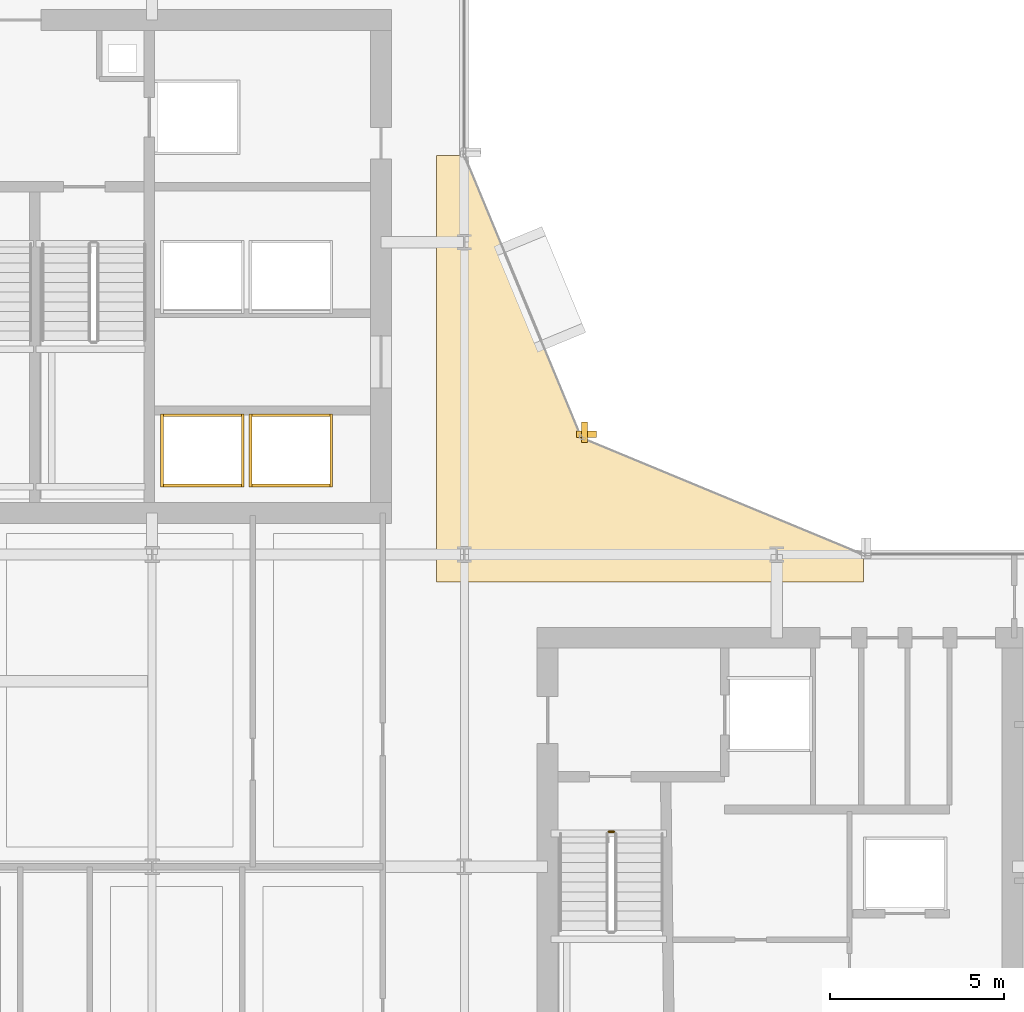
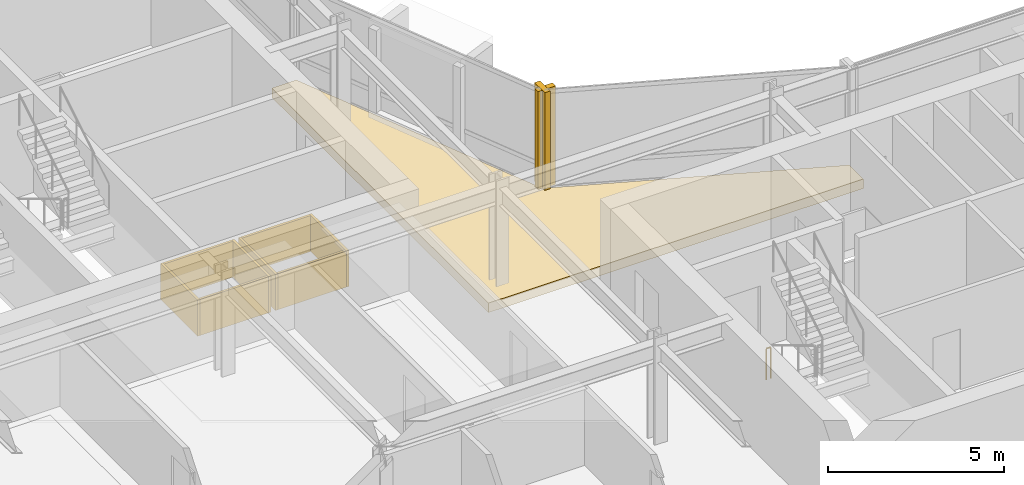
# One storey, part 27 of 29: 11 coverings, 1 railing.
"""IFC4 building model written with IfcOpenShell, lengths in metres."""

from ifc_helpers import new_model, si_unit, direction, frame, origin, origin_2d, place, context, subcontext, project, spatial, polyline, rectangle, circle, outline, extrude, material, layer, layer_set, type_object, element, save


model = new_model("IFC4")

# Units and contexts
model_context = context("Model", 3, precision=1e-05, world=origin(), true_north=direction((0.0, 1.0)))
body_context = subcontext(model_context, "Body", "Model", "MODEL_VIEW")
ifc_project = project(units=[si_unit("LENGTHUNIT", "METRE"), si_unit("AREAUNIT", "SQUARE_METRE"), si_unit("VOLUMEUNIT", "CUBIC_METRE"), si_unit("PLANEANGLEUNIT", "RADIAN"), si_unit("MASSUNIT", "GRAM", prefix="KILO")], contexts=[model_context])

# Site, building, storey
site_placement = place(None, origin())
site = spatial("IfcSite", under=ifc_project, at=site_placement, CompositionType="ELEMENT")
building_placement = place(site_placement, origin())
building = spatial("IfcBuilding", under=site, at=building_placement, Name="Solvaryn Broadcast Tower", CompositionType="ELEMENT")
storey_placement = place(building_placement, frame((0.0, 0.0, 121.10009765625)))
storey = spatial("IfcBuildingStorey", under=building, at=storey_placement, Name="L29", CompositionType="ELEMENT", Elevation=121.10009765625)

# Coverings
ifc_material_1 = material(Name="Fire-Rated Gypsum Shaftwall Liner", Category="concrete")
ifc_layer_1 = layer(ifc_material_1, 0.080078125)
ifc_layer_set_1 = layer_set([ifc_layer_1], Name="CV-SHAFT-LINER")
covering_type_1 = type_object("IfcCoveringType", Name="CV-SHAFT-LINER", PredefinedType="CLADDING", material=ifc_layer_set_1)
for number, where, z_axis, x_axis, name in (
    (1, (19.449951171875, 31.014892578125, 0.0), (0.0, 0.0, 1.0), (1.0, 0.0, 0.0), "L29 PH1 Hoistway Shaft Liner North"),
    (2, (19.449951171875, 28.985107421875, 0.0), (0.0, 0.0, 1.0), (1.0, 0.0, 0.0), "L29 PH1 Hoistway Shaft Liner South"),
):
    element("IfcCovering", number, at=place(storey_placement, frame(where, z_axis=z_axis, x_axis=x_axis)), inside=storey, type_object=covering_type_1, Name=name, PredefinedType="CLADDING", context=body_context, shape_type="SweptSolid", body=[
        extrude(rectangle(XDim=2.409912109375, YDim=0.080078125, at=origin_2d()), origin(), (0.0, 0.0, 1.0), 1.25),
    ])
for number, where, z_axis, x_axis, name in (
    (3, (20.614990234375, 30.0, 0.0), (0.0, 0.0, 1.0), (1.0, 0.0, 0.0), "L29 PH1 Hoistway Shaft Liner East"),
    (4, (18.284912109375, 30.0, 0.0), (0.0, 0.0, 1.0), (1.0, 0.0, 0.0), "L29 PH1 Hoistway Shaft Liner West"),
):
    element("IfcCovering", number, at=place(storey_placement, frame(where, z_axis=z_axis, x_axis=x_axis)), inside=storey, type_object=covering_type_1, Name=name, PredefinedType="CLADDING", context=body_context, shape_type="SweptSolid", body=[
        extrude(rectangle(XDim=0.080078125, YDim=2.110107421875, at=origin_2d()), origin(), (0.0, 0.0, 1.0), 1.25),
    ])
for number, where, z_axis, x_axis, name in (
    (5, (22.0, 31.014892578125, 0.0), (0.0, 0.0, 1.0), (1.0, 0.0, 0.0), "L29 PH2 Hoistway Shaft Liner North"),
    (6, (22.0, 28.985107421875, 0.0), (0.0, 0.0, 1.0), (1.0, 0.0, 0.0), "L29 PH2 Hoistway Shaft Liner South"),
):
    element("IfcCovering", number, at=place(storey_placement, frame(where, z_axis=z_axis, x_axis=x_axis)), inside=storey, type_object=covering_type_1, Name=name, PredefinedType="CLADDING", context=body_context, shape_type="SweptSolid", body=[
        extrude(rectangle(XDim=2.409912109375, YDim=0.080078125, at=origin_2d()), origin(), (0.0, 0.0, 1.0), 1.25),
    ])
for number, where, z_axis, x_axis, name in (
    (7, (23.1650390625, 30.0, 0.0), (0.0, 0.0, 1.0), (1.0, 0.0, 0.0), "L29 PH2 Hoistway Shaft Liner East"),
    (8, (20.8349609375, 30.0, 0.0), (0.0, 0.0, 1.0), (1.0, 0.0, 0.0), "L29 PH2 Hoistway Shaft Liner West"),
):
    element("IfcCovering", number, at=place(storey_placement, frame(where, z_axis=z_axis, x_axis=x_axis)), inside=storey, type_object=covering_type_1, Name=name, PredefinedType="CLADDING", context=body_context, shape_type="SweptSolid", body=[
        extrude(rectangle(XDim=0.080078125, YDim=2.110107421875, at=origin_2d()), origin(), (0.0, 0.0, 1.0), 1.25),
    ])
ifc_material_2 = material(Name="Extruded Architectural Terracotta Fin", Category="masonry")
ifc_layer_2 = layer(ifc_material_2, 0.179931640625)
ifc_layer_set_2 = layer_set([ifc_layer_2], Name="CV-TC-FIN")
covering_type_2 = type_object("IfcCoveringType", Name="CV-TC-FIN", PredefinedType="USERDEFINED", material=ifc_layer_set_2)
covering_1_placement = place(storey_placement, frame((30.464599609375, 30.52294921875, 0.0), z_axis=(0.0, 0.0, 1.0), x_axis=(1.0, 0.0, 0.0)))
element("IfcCovering", 9, at=covering_1_placement, inside=storey, type_object=covering_type_2, Name="L29 Terracotta Vertical Fin FIN-L29-CN1-M01", ObjectType="FIN", PredefinedType="USERDEFINED", context=body_context, shape_type="SweptSolid", body=[
    extrude(rectangle(XDim=0.179931640625, YDim=0.580078125, at=origin_2d()), origin(), (0.0, 0.0, 1.0), 3.419921875),
])
covering_2_placement = place(storey_placement, frame((30.52294921875, 30.464599609375, 0.0), z_axis=(0.0, 0.0, 1.0), x_axis=(1.0, 0.0, 0.0)))
element("IfcCovering", 10, at=covering_2_placement, inside=storey, type_object=covering_type_2, Name="L29 Terracotta Vertical Fin FIN-L29-CN2-M00", ObjectType="FIN", PredefinedType="USERDEFINED", context=body_context, shape_type="SweptSolid", body=[
    extrude(rectangle(XDim=0.580078125, YDim=0.179931640625, at=origin_2d()), origin(), (0.0, 0.0, 1.0), 3.419921875),
])
ifc_material_3 = material(Name="Sculpted Architectural Terracotta Wave Fascia", Category="masonry")
ifc_layer_3 = layer(ifc_material_3, 0.340087890625)
ifc_layer_set_3 = layer_set([ifc_layer_3], Name="CV-WAVE-TRAY")
covering_type_3 = type_object("IfcCoveringType", Name="CV-WAVE-TRAY", PredefinedType="CLADDING", material=ifc_layer_set_3)
covering_3_placement = place(storey_placement, frame((0.0, 0.0, -0.300048828125)))
element("IfcCovering", 11, at=covering_3_placement, inside=storey, type_object=covering_type_3, Name="L29 Concave Canyon Floor Apron", PredefinedType="CLADDING", context=body_context, shape_type="SweptSolid", body=[
    extrude(outline(polyline([(26.199951171875, 26.199951171875), (38.5, 26.199951171875), (38.5, 27.0), (30.367919921875, 30.367919921875), (27.0, 38.5), (26.199951171875, 38.5), (26.199951171875, 26.199951171875)])), origin(), (0.0, 0.0, 1.0), 0.329833984375),
])

# Railing
ifc_material_4 = material(Name="Painted Steel Stair Well Guard", Category="steel")
railing_type = type_object("IfcRailingType", Name="RL-STAIR-GUARD", PredefinedType="BALUSTRADE", material=ifc_material_4)
railing_placement = place(storey_placement, frame((31.159912109375, 19.010009765625, 0.0)))
element("IfcRailing", 12, at=railing_placement, inside=storey, type_object=railing_type, Name="L29 ST3 stair guard 4", PredefinedType="BALUSTRADE", context=body_context, shape_type="SweptSolid", body=[
    extrude(circle(Radius=0.02392578125, at=origin_2d()), frame((0.0, 0.0, 1.076171875), z_axis=(1.0, 0.0, 0.0), x_axis=(0.0, 1.0, 0.0)), (0.0, 0.0, 1.0), 0.150146484375),
    extrude(circle(Radius=0.02099609375, at=origin_2d()), origin(), (0.0, 0.0, 1.0), 1.052001953125),
    extrude(circle(Radius=0.02099609375, at=origin_2d()), frame((0.150146484375, 0.0, 0.0)), (0.0, 0.0, 1.0), 1.052001953125),
])

save(model, "model.ifc")
